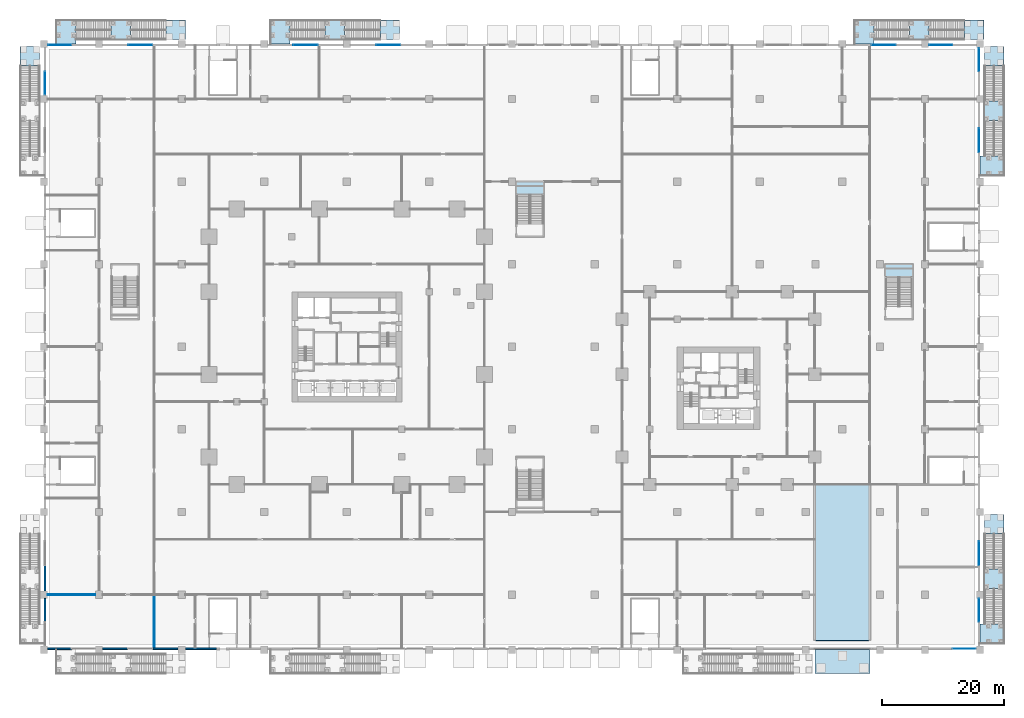
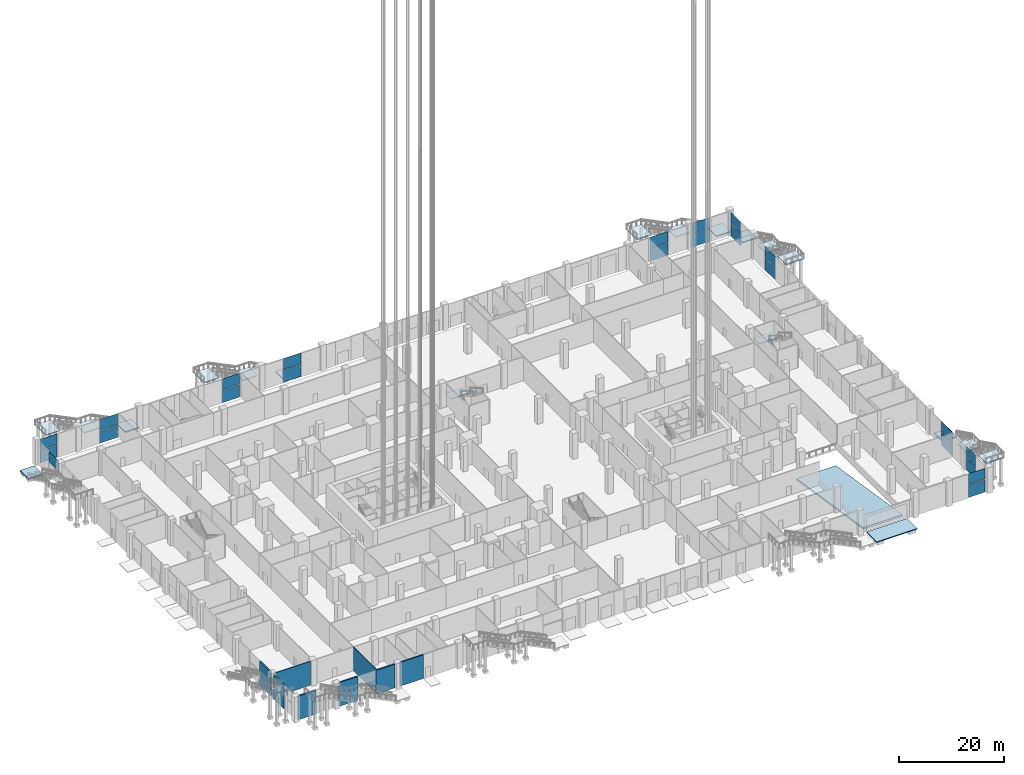
# One storey, part 22 of 68: 23 plates, 20 slabs, 8 walls, 20 elements without a shape of their own.
"""IFC4 building model written with IfcOpenShell, lengths in metres."""

from ifc_helpers import new_model, si_unit, direction, frame, frame_2d, origin, origin_2d, place, context, subcontext, project, spatial, polyline, rectangle, outline, extrude, material, layer, layer_set, type_object, element, aggregate, save


model = new_model("IFC4")

# Units and contexts
model_context = context("Model", 3, precision=1e-05, world=origin(), true_north=direction((0.0, 1.0)))
body_context = subcontext(model_context, "Body", "Model", "MODEL_VIEW")
ifc_project = project(units=[si_unit("LENGTHUNIT", "METRE"), si_unit("AREAUNIT", "SQUARE_METRE"), si_unit("VOLUMEUNIT", "CUBIC_METRE"), si_unit("PLANEANGLEUNIT", "RADIAN"), si_unit("MASSUNIT", "GRAM", prefix="KILO")], contexts=[model_context])

# Site, building, storey
site_placement = place(None, origin())
site = spatial("IfcSite", under=ifc_project, at=site_placement, CompositionType="ELEMENT")
building_placement = place(site_placement, origin())
building = spatial("IfcBuilding", under=site, at=building_placement, Name="Altepetl Exchange Towers", CompositionType="ELEMENT")
storey_placement = place(building_placement, origin())
storey = spatial("IfcBuildingStorey", under=building, at=storey_placement, Name="L00 Ground concourse", CompositionType="ELEMENT", Elevation=0.0)

# Slab
ifc_material_1 = material(Name="Concrete paving", Category="concrete")
ifc_layer_1 = layer(ifc_material_1, 0.199951171875)
ifc_layer_set_1 = layer_set([ifc_layer_1], Name="Concrete paving")
slab_type_1 = type_object("IfcSlabType", Name="Driveway apron 200", PredefinedType="USERDEFINED", material=ifc_layer_set_1)
slab_1_placement = place(storey_placement, frame((0.0, 0.0, -0.199951171875)))
element("IfcSlab", 1, at=slab_1_placement, inside=storey, type_object=slab_type_1, Name="Driveway apron", ObjectType="PAVING", PredefinedType="USERDEFINED", context=body_context, shape_type="SweptSolid", body=[
    extrude(outline(polyline([(126.0, -3.89990234375), (135.0, -3.89990234375), (135.0, 0.0), (126.0, 0.0), (126.0, -3.89990234375)])), origin(), (0.0, 0.0, 1.0), 0.199951171875),
])

# Stair, slabs
ifc_material_2 = material(Name="Reinforced concrete C35/45", Category="concrete")
stair_type_1 = type_object("IfcStairType", Name="Exit garden steps 3200", PredefinedType="TWO_STRAIGHT_RUN_STAIR", material=ifc_material_2)
stair_1_placement = place(storey_placement, origin())
stair_1 = element("IfcStair", 2, at=stair_1_placement, inside=storey, type_object=stair_type_1, Name="ST-G3 exit garden steps", PredefinedType="TWO_STRAIGHT_RUN_STAIR")
ifc_layer_2 = layer(ifc_material_2, 0.25)
ifc_layer_set_2 = layer_set([ifc_layer_2], Name="Reinforced concrete C35/45")
slab_type_2 = type_object("IfcSlabType", Name="Garden steps landing 250", PredefinedType="LANDING", material=ifc_layer_set_2)
slab_2_placement = place(storey_placement, frame((0.0, 0.0, 5.75)))
slab_2 = element("IfcSlab", 3, at=slab_2_placement, type_object=slab_type_2, Name="ST-G3 landing 1", PredefinedType="LANDING", context=body_context, shape_type="SweptSolid", body=[
    extrude(outline(polyline([(2.0, 99.0), (5.199951171875, 99.0), (5.199951171875, 102.89990234375), (2.0, 102.89990234375), (2.0, 99.0)])), origin(), (0.0, 0.0, 1.0), 0.25),
])
slab_3_placement = place(storey_placement, frame((0.0, 0.0, 2.75)))
slab_3 = element("IfcSlab", 4, at=slab_3_placement, type_object=slab_type_2, Name="ST-G3 landing 2", PredefinedType="LANDING", context=body_context, shape_type="SweptSolid", body=[
    extrude(outline(polyline([(10.9599609375, 99.699951171875), (14.159912109375, 99.699951171875), (14.159912109375, 102.89990234375), (10.9599609375, 102.89990234375), (10.9599609375, 99.699951171875)])), origin(), (0.0, 0.0, 1.0), 0.25),
])
slab_4_placement = place(storey_placement, frame((0.0, 0.0, -0.25)))
slab_4 = element("IfcSlab", 5, at=slab_4_placement, type_object=slab_type_2, Name="ST-G3 landing 3", PredefinedType="LANDING", context=body_context, shape_type="SweptSolid", body=[
    extrude(outline(polyline([(19.919921875, 99.699951171875), (23.1201171875, 99.699951171875), (23.1201171875, 102.89990234375), (19.919921875, 102.89990234375), (19.919921875, 99.699951171875)])), origin(), (0.0, 0.0, 1.0), 0.25),
])
aggregate(stair_1, [slab_2, slab_3, slab_4])

stair_2_placement = place(storey_placement, origin())
stair_2 = element("IfcStair", 6, at=stair_2_placement, inside=storey, type_object=stair_type_1, Name="ST-G4 exit garden steps", PredefinedType="TWO_STRAIGHT_RUN_STAIR")
slab_5_placement = place(storey_placement, frame((0.0, 0.0, 5.75)))
slab_5 = element("IfcSlab", 7, at=slab_5_placement, type_object=slab_type_2, Name="ST-G4 landing 1", PredefinedType="LANDING", context=body_context, shape_type="SweptSolid", body=[
    extrude(outline(polyline([(37.0, 99.0), (40.199951171875, 99.0), (40.199951171875, 102.89990234375), (37.0, 102.89990234375), (37.0, 99.0)])), origin(), (0.0, 0.0, 1.0), 0.25),
])
slab_6_placement = place(storey_placement, frame((0.0, 0.0, 2.75)))
slab_6 = element("IfcSlab", 8, at=slab_6_placement, type_object=slab_type_2, Name="ST-G4 landing 2", PredefinedType="LANDING", context=body_context, shape_type="SweptSolid", body=[
    extrude(outline(polyline([(45.9599609375, 99.699951171875), (49.159912109375, 99.699951171875), (49.159912109375, 102.89990234375), (45.9599609375, 102.89990234375), (45.9599609375, 99.699951171875)])), origin(), (0.0, 0.0, 1.0), 0.25),
])
slab_7_placement = place(storey_placement, frame((0.0, 0.0, -0.25)))
slab_7 = element("IfcSlab", 9, at=slab_7_placement, type_object=slab_type_2, Name="ST-G4 landing 3", PredefinedType="LANDING", context=body_context, shape_type="SweptSolid", body=[
    extrude(outline(polyline([(54.919921875, 99.699951171875), (58.1201171875, 99.699951171875), (58.1201171875, 102.89990234375), (54.919921875, 102.89990234375), (54.919921875, 99.699951171875)])), origin(), (0.0, 0.0, 1.0), 0.25),
])
aggregate(stair_2, [slab_5, slab_6, slab_7])

# Stair, slab
stair_3_placement = place(storey_placement, origin())
stair_3 = element("IfcStair", 10, at=stair_3_placement, inside=storey, type_object=stair_type_1, Name="ST-G5 exit garden steps", PredefinedType="TWO_STRAIGHT_RUN_STAIR")
slab_8_placement = place(storey_placement, frame((0.0, 0.0, -0.25)))
slab_8 = element("IfcSlab", 11, at=slab_8_placement, type_object=slab_type_2, Name="ST-G5 landing 3", PredefinedType="LANDING", context=body_context, shape_type="SweptSolid", body=[
    extrude(outline(polyline([(-0.699951171875, 95.419921875), (-0.699951171875, 98.6201171875), (-3.89990234375, 98.6201171875), (-3.89990234375, 95.419921875), (-0.699951171875, 95.419921875)])), origin(), (0.0, 0.0, 1.0), 0.25),
])
aggregate(stair_3, [slab_8])

# Stair, slabs
stair_4_placement = place(storey_placement, origin())
stair_4 = element("IfcStair", 12, at=stair_4_placement, inside=storey, type_object=stair_type_1, Name="ST-G6 exit garden steps", PredefinedType="TWO_STRAIGHT_RUN_STAIR")
slab_9_placement = place(storey_placement, frame((0.0, 0.0, 5.75)))
slab_9 = element("IfcSlab", 13, at=slab_9_placement, type_object=slab_type_2, Name="ST-G6 landing 1", PredefinedType="LANDING", context=body_context, shape_type="SweptSolid", body=[
    extrude(outline(polyline([(153.0, 77.5), (153.0, 80.699951171875), (156.89990234375, 80.699951171875), (156.89990234375, 77.5), (153.0, 77.5)])), origin(), (0.0, 0.0, 1.0), 0.25),
])
slab_10_placement = place(storey_placement, frame((0.0, 0.0, 2.75)))
slab_10 = element("IfcSlab", 14, at=slab_10_placement, type_object=slab_type_2, Name="ST-G6 landing 2", PredefinedType="LANDING", context=body_context, shape_type="SweptSolid", body=[
    extrude(outline(polyline([(153.699951171875, 86.4599609375), (153.699951171875, 89.659912109375), (156.89990234375, 89.659912109375), (156.89990234375, 86.4599609375), (153.699951171875, 86.4599609375)])), origin(), (0.0, 0.0, 1.0), 0.25),
])
slab_11_placement = place(storey_placement, frame((0.0, 0.0, -0.25)))
slab_11 = element("IfcSlab", 15, at=slab_11_placement, type_object=slab_type_2, Name="ST-G6 landing 3", PredefinedType="LANDING", context=body_context, shape_type="SweptSolid", body=[
    extrude(outline(polyline([(153.699951171875, 95.419921875), (153.699951171875, 98.6201171875), (156.89990234375, 98.6201171875), (156.89990234375, 95.419921875), (153.699951171875, 95.419921875)])), origin(), (0.0, 0.0, 1.0), 0.25),
])
aggregate(stair_4, [slab_9, slab_10, slab_11])

stair_5_placement = place(storey_placement, origin())
stair_5 = element("IfcStair", 16, at=stair_5_placement, inside=storey, type_object=stair_type_1, Name="ST-G11 exit garden steps", PredefinedType="TWO_STRAIGHT_RUN_STAIR")
slab_12_placement = place(storey_placement, frame((0.0, 0.0, 5.75)))
slab_12 = element("IfcSlab", 17, at=slab_12_placement, type_object=slab_type_2, Name="ST-G11 landing 1", PredefinedType="LANDING", context=body_context, shape_type="SweptSolid", body=[
    extrude(outline(polyline([(132.5, 99.0), (135.699951171875, 99.0), (135.699951171875, 102.89990234375), (132.5, 102.89990234375), (132.5, 99.0)])), origin(), (0.0, 0.0, 1.0), 0.25),
])
slab_13_placement = place(storey_placement, frame((0.0, 0.0, 2.75)))
slab_13 = element("IfcSlab", 18, at=slab_13_placement, type_object=slab_type_2, Name="ST-G11 landing 2", PredefinedType="LANDING", context=body_context, shape_type="SweptSolid", body=[
    extrude(outline(polyline([(141.4599609375, 99.699951171875), (144.659912109375, 99.699951171875), (144.659912109375, 102.89990234375), (141.4599609375, 102.89990234375), (141.4599609375, 99.699951171875)])), origin(), (0.0, 0.0, 1.0), 0.25),
])
slab_14_placement = place(storey_placement, frame((0.0, 0.0, -0.25)))
slab_14 = element("IfcSlab", 19, at=slab_14_placement, type_object=slab_type_2, Name="ST-G11 landing 3", PredefinedType="LANDING", context=body_context, shape_type="SweptSolid", body=[
    extrude(outline(polyline([(150.419921875, 99.699951171875), (153.6201171875, 99.699951171875), (153.6201171875, 102.89990234375), (150.419921875, 102.89990234375), (150.419921875, 99.699951171875)])), origin(), (0.0, 0.0, 1.0), 0.25),
])
aggregate(stair_5, [slab_12, slab_13, slab_14])

stair_6_placement = place(storey_placement, origin())
stair_6 = element("IfcStair", 20, at=stair_6_placement, inside=storey, type_object=stair_type_1, Name="ST-G13 exit garden steps", PredefinedType="TWO_STRAIGHT_RUN_STAIR")
slab_15_placement = place(storey_placement, frame((0.0, 0.0, 5.75)))
slab_15 = element("IfcSlab", 21, at=slab_15_placement, type_object=slab_type_2, Name="ST-G13 landing 1", PredefinedType="LANDING", context=body_context, shape_type="SweptSolid", body=[
    extrude(outline(polyline([(153.0, 1.0), (153.0, 4.199951171875), (156.89990234375, 4.199951171875), (156.89990234375, 1.0), (153.0, 1.0)])), origin(), (0.0, 0.0, 1.0), 0.25),
])
slab_16_placement = place(storey_placement, frame((0.0, 0.0, 2.75)))
slab_16 = element("IfcSlab", 22, at=slab_16_placement, type_object=slab_type_2, Name="ST-G13 landing 2", PredefinedType="LANDING", context=body_context, shape_type="SweptSolid", body=[
    extrude(outline(polyline([(153.699951171875, 9.9599609375), (153.699951171875, 13.159912109375), (156.89990234375, 13.159912109375), (156.89990234375, 9.9599609375), (153.699951171875, 9.9599609375)])), origin(), (0.0, 0.0, 1.0), 0.25),
])
slab_17_placement = place(storey_placement, frame((0.0, 0.0, -0.25)))
slab_17 = element("IfcSlab", 23, at=slab_17_placement, type_object=slab_type_2, Name="ST-G13 landing 3", PredefinedType="LANDING", context=body_context, shape_type="SweptSolid", body=[
    extrude(outline(polyline([(153.699951171875, 18.919921875), (153.699951171875, 22.1201171875), (156.89990234375, 22.1201171875), (156.89990234375, 18.919921875), (153.699951171875, 18.919921875)])), origin(), (0.0, 0.0, 1.0), 0.25),
])
aggregate(stair_6, [slab_15, slab_16, slab_17])

# Curtain wall, plates
ifc_material_3 = material(Name="Aluminium 6063-T6 glazing", Category="aluminium")
curtain_wall_type = type_object("IfcCurtainWallType", Name="Podium storefront system", PredefinedType="NOTDEFINED", material=ifc_material_3)
curtain_wall_1_placement = place(storey_placement, origin())
curtain_wall_1 = element("IfcCurtainWall", 24, at=curtain_wall_1_placement, inside=storey, type_object=curtain_wall_type, Name="CW5 run", PredefinedType="NOTDEFINED")
ifc_material_4 = material(Name="Glass 8-16-8 toughened", Category="glass")
ifc_layer_3 = layer(ifc_material_4, 0.031982421875)
ifc_layer_set_3 = layer_set([ifc_layer_3], Name="Glass 8-16-8 toughened")
plate_type = type_object("IfcPlateType", Name="Glass panel 32 storefront", PredefinedType="CURTAIN_PANEL", material=ifc_layer_set_3)
plate_1_placement = place(storey_placement, frame((150.425048828125, 0.14990234375, 0.0)))
plate_1 = element("IfcPlate", 25, at=plate_1_placement, type_object=plate_type, Name="GP4 panel", PredefinedType="CURTAIN_PANEL", context=body_context, shape_type="SweptSolid", body=[
    extrude(rectangle(XDim=3.72998046875, YDim=0.031982421875, at=origin_2d()), origin(), (0.0, 0.0, 1.0), 2.929931640625),
])
plate_2_placement = place(storey_placement, frame((150.425048828125, 0.14990234375, 3.070068359375)))
plate_2 = element("IfcPlate", 26, at=plate_2_placement, type_object=plate_type, Name="GP4 panel", PredefinedType="CURTAIN_PANEL", context=body_context, shape_type="SweptSolid", body=[
    extrude(rectangle(XDim=3.72998046875, YDim=0.031982421875, at=origin_2d()), origin(), (0.0, 0.0, 1.0), 2.47998046875),
])
aggregate(curtain_wall_1, [plate_1, plate_2])

curtain_wall_2_placement = place(storey_placement, origin())
curtain_wall_2 = element("IfcCurtainWall", 27, at=curtain_wall_2_placement, inside=storey, type_object=curtain_wall_type, Name="CW5 run", PredefinedType="NOTDEFINED")
plate_3_placement = place(storey_placement, frame((152.85009765625, 6.425048828125, 0.0), z_axis=(0.0, 0.0, 1.0), x_axis=(0.0, 1.0, 0.0)))
plate_3 = element("IfcPlate", 28, at=plate_3_placement, type_object=plate_type, Name="GP4 panel", PredefinedType="CURTAIN_PANEL", context=body_context, shape_type="SweptSolid", body=[
    extrude(rectangle(XDim=3.72998046875, YDim=0.031982421875, at=origin_2d()), origin(), (0.0, 0.0, 1.0), 2.929931640625),
])
plate_4_placement = place(storey_placement, frame((152.85009765625, 6.425048828125, 3.070068359375), z_axis=(0.0, 0.0, 1.0), x_axis=(0.0, 1.0, 0.0)))
plate_4 = element("IfcPlate", 29, at=plate_4_placement, type_object=plate_type, Name="GP4 panel", PredefinedType="CURTAIN_PANEL", context=body_context, shape_type="SweptSolid", body=[
    extrude(rectangle(XDim=3.72998046875, YDim=0.031982421875, at=origin_2d()), origin(), (0.0, 0.0, 1.0), 2.47998046875),
])
aggregate(curtain_wall_2, [plate_3, plate_4])

curtain_wall_3_placement = place(storey_placement, origin())
curtain_wall_3 = element("IfcCurtainWall", 30, at=curtain_wall_3_placement, inside=storey, type_object=curtain_wall_type, Name="CW5 run", PredefinedType="NOTDEFINED")
plate_5_placement = place(storey_placement, frame((152.85009765625, 15.75, 0.0), z_axis=(0.0, 0.0, 1.0), x_axis=(0.0, 1.0, 0.0)))
plate_5 = element("IfcPlate", 31, at=plate_5_placement, type_object=plate_type, Name="GP4 panel", PredefinedType="CURTAIN_PANEL", context=body_context, shape_type="SweptSolid", body=[
    extrude(rectangle(XDim=3.94677734375, YDim=0.031982421875, at=origin_2d()), origin(), (0.0, 0.0, 1.0), 2.929931640625),
])
plate_6_placement = place(storey_placement, frame((152.85009765625, 15.75, 3.070068359375), z_axis=(0.0, 0.0, 1.0), x_axis=(0.0, 1.0, 0.0)))
plate_6 = element("IfcPlate", 32, at=plate_6_placement, type_object=plate_type, Name="GP4 panel", PredefinedType="CURTAIN_PANEL", context=body_context, shape_type="SweptSolid", body=[
    extrude(rectangle(XDim=3.94677734375, YDim=0.031982421875, at=origin_2d()), origin(), (0.0, 0.0, 1.0), 2.47998046875),
])
aggregate(curtain_wall_3, [plate_5, plate_6])

curtain_wall_4_placement = place(storey_placement, origin())
curtain_wall_4 = element("IfcCurtainWall", 33, at=curtain_wall_4_placement, inside=storey, type_object=curtain_wall_type, Name="CW5 run", PredefinedType="NOTDEFINED")
plate_7_placement = place(storey_placement, frame((152.85009765625, 83.25, 0.0), z_axis=(0.0, 0.0, 1.0), x_axis=(0.0, 1.0, 0.0)))
plate_7 = element("IfcPlate", 34, at=plate_7_placement, type_object=plate_type, Name="GP4 panel", PredefinedType="CURTAIN_PANEL", context=body_context, shape_type="SweptSolid", body=[
    extrude(rectangle(XDim=3.94677734375, YDim=0.031982421875, at=origin_2d()), origin(), (0.0, 0.0, 1.0), 2.929931640625),
])
plate_8_placement = place(storey_placement, frame((152.85009765625, 83.25, 3.070068359375), z_axis=(0.0, 0.0, 1.0), x_axis=(0.0, 1.0, 0.0)))
plate_8 = element("IfcPlate", 35, at=plate_8_placement, type_object=plate_type, Name="GP4 panel", PredefinedType="CURTAIN_PANEL", context=body_context, shape_type="SweptSolid", body=[
    extrude(rectangle(XDim=3.94677734375, YDim=0.031982421875, at=origin_2d()), origin(), (0.0, 0.0, 1.0), 2.47998046875),
])
aggregate(curtain_wall_4, [plate_7, plate_8])

curtain_wall_5_placement = place(storey_placement, origin())
curtain_wall_5 = element("IfcCurtainWall", 36, at=curtain_wall_5_placement, inside=storey, type_object=curtain_wall_type, Name="CW5 run", PredefinedType="NOTDEFINED")
plate_9_placement = place(storey_placement, frame((152.85009765625, 96.425048828125, 0.0), z_axis=(0.0, 0.0, 1.0), x_axis=(0.0, 1.0, 0.0)))
plate_9 = element("IfcPlate", 37, at=plate_9_placement, type_object=plate_type, Name="GP4 panel", PredefinedType="CURTAIN_PANEL", context=body_context, shape_type="SweptSolid", body=[
    extrude(rectangle(XDim=3.72998046875, YDim=0.031982421875, at=origin_2d()), origin(), (0.0, 0.0, 1.0), 2.929931640625),
])
plate_10_placement = place(storey_placement, frame((152.85009765625, 96.425048828125, 3.070068359375), z_axis=(0.0, 0.0, 1.0), x_axis=(0.0, 1.0, 0.0)))
plate_10 = element("IfcPlate", 38, at=plate_10_placement, type_object=plate_type, Name="GP4 panel", PredefinedType="CURTAIN_PANEL", context=body_context, shape_type="SweptSolid", body=[
    extrude(rectangle(XDim=3.72998046875, YDim=0.031982421875, at=origin_2d()), origin(), (0.0, 0.0, 1.0), 2.47998046875),
])
aggregate(curtain_wall_5, [plate_9, plate_10])

curtain_wall_6_placement = place(storey_placement, origin())
curtain_wall_6 = element("IfcCurtainWall", 39, at=curtain_wall_6_placement, inside=storey, type_object=curtain_wall_type, Name="CW5 run", PredefinedType="NOTDEFINED")
plate_11_placement = place(storey_placement, frame((146.574951171875, 98.85009765625, 0.0), z_axis=(0.0, 0.0, 1.0), x_axis=(-1.0, 0.0, 0.0)))
plate_11 = element("IfcPlate", 40, at=plate_11_placement, type_object=plate_type, Name="GP4 panel", PredefinedType="CURTAIN_PANEL", context=body_context, shape_type="SweptSolid", body=[
    extrude(rectangle(XDim=3.72998046875, YDim=0.031982421875, at=origin_2d()), origin(), (0.0, 0.0, 1.0), 2.929931640625),
])
plate_12_placement = place(storey_placement, frame((146.574951171875, 98.85009765625, 3.070068359375), z_axis=(0.0, 0.0, 1.0), x_axis=(-1.0, 0.0, 0.0)))
plate_12 = element("IfcPlate", 41, at=plate_12_placement, type_object=plate_type, Name="GP4 panel", PredefinedType="CURTAIN_PANEL", context=body_context, shape_type="SweptSolid", body=[
    extrude(rectangle(XDim=3.72998046875, YDim=0.031982421875, at=origin_2d()), origin(), (0.0, 0.0, 1.0), 2.47998046875),
])
aggregate(curtain_wall_6, [plate_11, plate_12])

curtain_wall_7_placement = place(storey_placement, origin())
curtain_wall_7 = element("IfcCurtainWall", 42, at=curtain_wall_7_placement, inside=storey, type_object=curtain_wall_type, Name="CW5 run", PredefinedType="NOTDEFINED")
plate_13_placement = place(storey_placement, frame((137.25, 98.85009765625, 0.0), z_axis=(0.0, 0.0, 1.0), x_axis=(-1.0, 0.0, 0.0)))
plate_13 = element("IfcPlate", 43, at=plate_13_placement, type_object=plate_type, Name="GP4 panel", PredefinedType="CURTAIN_PANEL", context=body_context, shape_type="SweptSolid", body=[
    extrude(rectangle(XDim=3.94677734375, YDim=0.031982421875, at=origin_2d()), origin(), (0.0, 0.0, 1.0), 2.929931640625),
])
plate_14_placement = place(storey_placement, frame((137.25, 98.85009765625, 3.070068359375), z_axis=(0.0, 0.0, 1.0), x_axis=(-1.0, 0.0, 0.0)))
plate_14 = element("IfcPlate", 44, at=plate_14_placement, type_object=plate_type, Name="GP4 panel", PredefinedType="CURTAIN_PANEL", context=body_context, shape_type="SweptSolid", body=[
    extrude(rectangle(XDim=3.94677734375, YDim=0.031982421875, at=origin_2d()), origin(), (0.0, 0.0, 1.0), 2.47998046875),
])
aggregate(curtain_wall_7, [plate_13, plate_14])

curtain_wall_8_placement = place(storey_placement, origin())
curtain_wall_8 = element("IfcCurtainWall", 45, at=curtain_wall_8_placement, inside=storey, type_object=curtain_wall_type, Name="CW5 run", PredefinedType="NOTDEFINED")
plate_15_placement = place(storey_placement, frame((56.25, 98.85009765625, 0.0), z_axis=(0.0, 0.0, 1.0), x_axis=(-1.0, 0.0, 0.0)))
plate_15 = element("IfcPlate", 46, at=plate_15_placement, type_object=plate_type, Name="GP4 panel", PredefinedType="CURTAIN_PANEL", context=body_context, shape_type="SweptSolid", body=[
    extrude(rectangle(XDim=3.94677734375, YDim=0.031982421875, at=origin_2d()), origin(), (0.0, 0.0, 1.0), 2.929931640625),
])
plate_16_placement = place(storey_placement, frame((56.25, 98.85009765625, 3.070068359375), z_axis=(0.0, 0.0, 1.0), x_axis=(-1.0, 0.0, 0.0)))
plate_16 = element("IfcPlate", 47, at=plate_16_placement, type_object=plate_type, Name="GP4 panel", PredefinedType="CURTAIN_PANEL", context=body_context, shape_type="SweptSolid", body=[
    extrude(rectangle(XDim=3.94677734375, YDim=0.031982421875, at=origin_2d()), origin(), (0.0, 0.0, 1.0), 2.47998046875),
])
aggregate(curtain_wall_8, [plate_15, plate_16])

curtain_wall_9_placement = place(storey_placement, origin())
curtain_wall_9 = element("IfcCurtainWall", 48, at=curtain_wall_9_placement, inside=storey, type_object=curtain_wall_type, Name="CW5 run", PredefinedType="NOTDEFINED")
plate_17_placement = place(storey_placement, frame((42.75, 98.85009765625, 0.0), z_axis=(0.0, 0.0, 1.0), x_axis=(-1.0, 0.0, 0.0)))
plate_17 = element("IfcPlate", 49, at=plate_17_placement, type_object=plate_type, Name="GP4 panel", PredefinedType="CURTAIN_PANEL", context=body_context, shape_type="SweptSolid", body=[
    extrude(rectangle(XDim=3.94677734375, YDim=0.031982421875, at=origin_2d()), origin(), (0.0, 0.0, 1.0), 2.929931640625),
])
plate_18_placement = place(storey_placement, frame((42.75, 98.85009765625, 3.070068359375), z_axis=(0.0, 0.0, 1.0), x_axis=(-1.0, 0.0, 0.0)))
plate_18 = element("IfcPlate", 50, at=plate_18_placement, type_object=plate_type, Name="GP4 panel", PredefinedType="CURTAIN_PANEL", context=body_context, shape_type="SweptSolid", body=[
    extrude(rectangle(XDim=3.94677734375, YDim=0.031982421875, at=origin_2d()), origin(), (0.0, 0.0, 1.0), 2.47998046875),
])
aggregate(curtain_wall_9, [plate_17, plate_18])

curtain_wall_10_placement = place(storey_placement, origin())
curtain_wall_10 = element("IfcCurtainWall", 51, at=curtain_wall_10_placement, inside=storey, type_object=curtain_wall_type, Name="CW5 run", PredefinedType="NOTDEFINED")
plate_19_placement = place(storey_placement, frame((15.75, 98.85009765625, 0.0), z_axis=(0.0, 0.0, 1.0), x_axis=(-1.0, 0.0, 0.0)))
plate_19 = element("IfcPlate", 52, at=plate_19_placement, type_object=plate_type, Name="GP4 panel", PredefinedType="CURTAIN_PANEL", context=body_context, shape_type="SweptSolid", body=[
    extrude(rectangle(XDim=3.94677734375, YDim=0.031982421875, at=origin_2d()), origin(), (0.0, 0.0, 1.0), 2.929931640625),
])
plate_20_placement = place(storey_placement, frame((15.75, 98.85009765625, 3.070068359375), z_axis=(0.0, 0.0, 1.0), x_axis=(-1.0, 0.0, 0.0)))
plate_20 = element("IfcPlate", 53, at=plate_20_placement, type_object=plate_type, Name="GP4 panel", PredefinedType="CURTAIN_PANEL", context=body_context, shape_type="SweptSolid", body=[
    extrude(rectangle(XDim=3.94677734375, YDim=0.031982421875, at=origin_2d()), origin(), (0.0, 0.0, 1.0), 2.47998046875),
])
aggregate(curtain_wall_10, [plate_19, plate_20])

curtain_wall_11_placement = place(storey_placement, origin())
curtain_wall_11 = element("IfcCurtainWall", 54, at=curtain_wall_11_placement, inside=storey, type_object=curtain_wall_type, Name="CW5 run", PredefinedType="NOTDEFINED")
plate_21_placement = place(storey_placement, frame((2.574951171875, 98.85009765625, 0.0), z_axis=(0.0, 0.0, 1.0), x_axis=(-1.0, 0.0, 0.0)))
plate_21 = element("IfcPlate", 55, at=plate_21_placement, type_object=plate_type, Name="GP4 panel", PredefinedType="CURTAIN_PANEL", context=body_context, shape_type="SweptSolid", body=[
    extrude(rectangle(XDim=3.72998046875, YDim=0.031982421875, at=origin_2d()), origin(), (0.0, 0.0, 1.0), 2.929931640625),
])
plate_22_placement = place(storey_placement, frame((2.574951171875, 98.85009765625, 3.070068359375), z_axis=(0.0, 0.0, 1.0), x_axis=(-1.0, 0.0, 0.0)))
plate_22 = element("IfcPlate", 56, at=plate_22_placement, type_object=plate_type, Name="GP4 panel", PredefinedType="CURTAIN_PANEL", context=body_context, shape_type="SweptSolid", body=[
    extrude(rectangle(XDim=3.72998046875, YDim=0.031982421875, at=origin_2d()), origin(), (0.0, 0.0, 1.0), 2.47998046875),
])
aggregate(curtain_wall_11, [plate_21, plate_22])

# Curtain wall, plate
curtain_wall_12_placement = place(storey_placement, origin())
curtain_wall_12 = element("IfcCurtainWall", 57, at=curtain_wall_12_placement, inside=storey, type_object=curtain_wall_type, Name="CW5 run", PredefinedType="NOTDEFINED")
plate_23_placement = place(storey_placement, frame((0.14990234375, 92.574951171875, 3.070068359375), z_axis=(0.0, 0.0, 1.0), x_axis=(0.0, -1.0, 0.0)))
plate_23 = element("IfcPlate", 58, at=plate_23_placement, type_object=plate_type, Name="GP4 panel", PredefinedType="CURTAIN_PANEL", context=body_context, shape_type="SweptSolid", body=[
    extrude(rectangle(XDim=3.72998046875, YDim=0.031982421875, at=origin_2d()), origin(), (0.0, 0.0, 1.0), 2.47998046875),
])
aggregate(curtain_wall_12, [plate_23])

# Stair, slab
stair_type_2 = type_object("IfcStairType", Name="Exit half-turn stair 2025", PredefinedType="HALF_TURN_STAIR", material=ifc_material_2)
stair_7_placement = place(storey_placement, origin())
stair_7 = element("IfcStair", 59, at=stair_7_placement, inside=storey, type_object=stair_type_2, Name="ST-P10 stair", PredefinedType="HALF_TURN_STAIR")
ifc_layer_4 = layer(ifc_material_2, 0.199951171875)
ifc_layer_set_4 = layer_set([ifc_layer_4], Name="Reinforced concrete C35/45")
slab_type_3 = type_object("IfcSlabType", Name="Stair landing 200", PredefinedType="LANDING", material=ifc_layer_set_4)
slab_18_placement = place(storey_placement, frame((0.0, 0.0, 2.800048828125)))
slab_18 = element("IfcSlab", 60, at=slab_18_placement, type_object=slab_type_3, Name="ST-P10 landing 1", PredefinedType="LANDING", context=body_context, shape_type="SweptSolid", body=[
    extrude(outline(polyline([(77.199951171875, 74.360107421875), (81.699951171875, 74.360107421875), (81.699951171875, 76.5), (77.199951171875, 76.5), (77.199951171875, 74.360107421875)])), origin(), (0.0, 0.0, 1.0), 0.199951171875),
])
aggregate(stair_7, [slab_18])

stair_8_placement = place(storey_placement, origin())
stair_8 = element("IfcStair", 61, at=stair_8_placement, inside=storey, type_object=stair_type_2, Name="ST-P13 stair", PredefinedType="HALF_TURN_STAIR")
slab_19_placement = place(storey_placement, frame((0.0, 0.0, 2.800048828125)))
slab_19 = element("IfcSlab", 62, at=slab_19_placement, type_object=slab_type_3, Name="ST-P13 landing 1", PredefinedType="LANDING", context=body_context, shape_type="SweptSolid", body=[
    extrude(outline(polyline([(137.5, 60.860107421875), (142.0, 60.860107421875), (142.0, 63.0), (137.5, 63.0), (137.5, 60.860107421875)])), origin(), (0.0, 0.0, 1.0), 0.199951171875),
])
aggregate(stair_8, [slab_19])

# Slab
ifc_layer_5 = layer(ifc_material_2, 0.39990234375)
ifc_layer_set_5 = layer_set([ifc_layer_5], Name="Reinforced concrete C35/45")
slab_type_4 = type_object("IfcSlabType", Name="Vehicle ramp slab 400", PredefinedType="USERDEFINED", material=ifc_layer_set_5)
slab_20_placement = place(storey_placement, frame((126.14990234375, 1.5, 0.0), z_axis=(0.0, 0.154967768845, 0.987919526388), x_axis=(1.0, 0.0, 0.0)))
element("IfcSlab", 63, at=slab_20_placement, inside=storey, type_object=slab_type_4, Name="RP1 vehicle ramp", ObjectType="VEHICLE RAMP SLAB", PredefinedType="USERDEFINED", context=body_context, shape_type="SweptSolid", body=[
    extrude(outline(polyline([(0.0, 0.0), (8.7001953125, 0.0), (8.7001953125, 25.81181899828061), (0.0, 25.81181899828061), (0.0, 0.0)])), origin(), (0.0, 0.0, -1.0), 0.39990234375),
])

# Walls
ifc_material_5 = material(Name="Gypsum board on steel studs", Category="steel")
ifc_layer_6 = layer(ifc_material_5, 0.14990234375)
ifc_layer_set_6 = layer_set([ifc_layer_6], Name="Gypsum board on steel studs")
wall_type_1 = type_object("IfcWallType", Name="Podium partition 150", PredefinedType="PARTITIONING", material=ifc_layer_set_6)
wall_1_placement = place(storey_placement, frame((18.0, 0.300048828125, 0.0), z_axis=(0.0, 0.0, 1.0), x_axis=(0.0, 1.0, 0.0)))
element("IfcWall", 64, at=wall_1_placement, inside=storey, type_object=wall_type_1, Name="wall:P:L00:P042", PredefinedType="PARTITIONING", context=body_context, shape_type="SweptSolid", body=[
    extrude(rectangle(XDim=8.77490234375, YDim=0.14990234375, at=frame_2d((4.387451171875, 0.0))), origin(), (0.0, 0.0, 1.0), 5.550048828125),
])
wall_2_placement = place(storey_placement, frame((0.594970703125, 9.0, 0.0)))
element("IfcWall", 65, at=wall_2_placement, inside=storey, type_object=wall_type_1, Name="wall:P:L00:P044", PredefinedType="PARTITIONING", context=body_context, shape_type="SweptSolid", body=[
    extrude(rectangle(XDim=7.81005859375, YDim=0.14990234375, at=frame_2d((3.905029296875, 0.0))), origin(), (0.0, 0.0, 1.0), 5.550048828125),
])
ifc_material_6 = material(Name="Cantera limestone cladding", Category="masonry")
ifc_layer_7 = layer(ifc_material_6, 0.300048828125)
ifc_layer_set_7 = layer_set([ifc_layer_7], Name="Cantera limestone cladding")
wall_type_2 = type_object("IfcWallType", Name="Stone wall panel 300", PredefinedType="ELEMENTEDWALL", material=ifc_layer_set_7)
wall_3_placement = place(storey_placement, frame((0.60009765625, 0.14990234375, 0.0)))
element("IfcWall", 66, at=wall_3_placement, inside=storey, type_object=wall_type_2, Name="Stone wall panel", PredefinedType="ELEMENTEDWALL", context=body_context, shape_type="SweptSolid", body=[
    extrude(rectangle(XDim=3.89990234375, YDim=0.300048828125, at=frame_2d((1.949951171875, 0.0))), origin(), (0.0, 0.0, 1.0), 5.550048828125),
])
for number, where, name in (
    (67, (9.60009765625, 0.14990234375, 0.0), "Stone wall panel"),
    (68, (17.783447265625, 0.14990234375, 0.0), "Stone wall panel"),
):
    element("IfcWall", number, at=place(storey_placement, frame(where)), inside=storey, type_object=wall_type_2, Name=name, PredefinedType="ELEMENTEDWALL", context=body_context, shape_type="SweptSolid", body=[
        extrude(rectangle(XDim=4.116455078125, YDim=0.300048828125, at=frame_2d((2.05810546875, 0.0))), origin(), (0.0, 0.0, 1.0), 5.550048828125),
    ])
wall_4_placement = place(storey_placement, frame((23.10009765625, 0.14990234375, 0.0)))
element("IfcWall", 69, at=wall_4_placement, inside=storey, type_object=wall_type_2, Name="Stone wall panel", PredefinedType="ELEMENTEDWALL", context=body_context, shape_type="SweptSolid", body=[
    extrude(rectangle(XDim=5.099853515625, YDim=0.300048828125, at=frame_2d((2.5498046875, 0.0))), origin(), (0.0, 0.0, 1.0), 5.550048828125),
])
wall_5_placement = place(storey_placement, frame((0.14990234375, 13.716552734375, 0.0), z_axis=(0.0, 0.0, 1.0), x_axis=(0.0, -1.0, 0.0)))
element("IfcWall", 70, at=wall_5_placement, inside=storey, type_object=wall_type_2, Name="Stone wall panel", PredefinedType="ELEMENTEDWALL", context=body_context, shape_type="SweptSolid", body=[
    extrude(rectangle(XDim=4.116455078125, YDim=0.300048828125, at=frame_2d((2.05810546875, 0.0))), origin(), (0.0, 0.0, 1.0), 5.550048828125),
])
wall_6_placement = place(storey_placement, frame((0.14990234375, 8.39990234375, 0.0), z_axis=(0.0, 0.0, 1.0), x_axis=(0.0, -1.0, 0.0)))
element("IfcWall", 71, at=wall_6_placement, inside=storey, type_object=wall_type_2, Name="Stone wall panel", PredefinedType="ELEMENTEDWALL", context=body_context, shape_type="SweptSolid", body=[
    extrude(rectangle(XDim=3.89990234375, YDim=0.300048828125, at=frame_2d((1.949951171875, 0.0))), origin(), (0.0, 0.0, 1.0), 5.550048828125),
])

save(model, "model.ifc")
